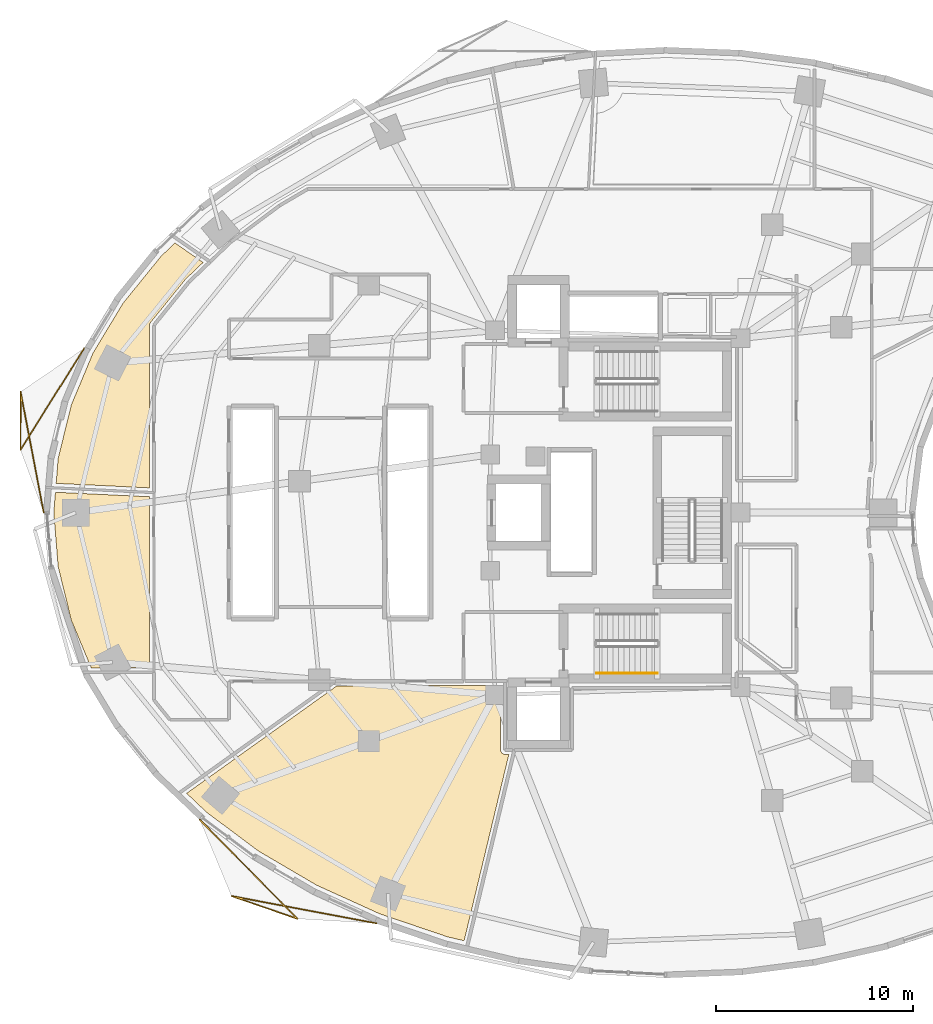
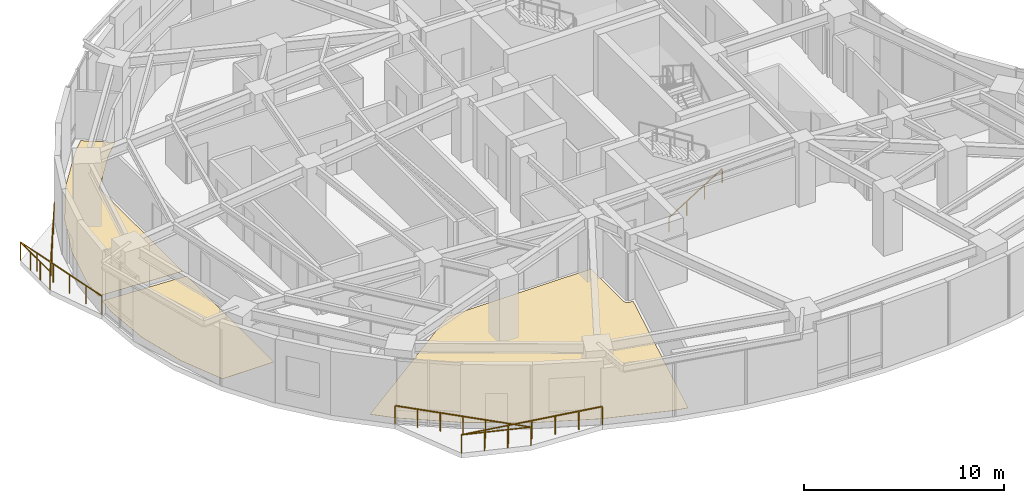
# One storey, part 13 of 15: 3 coverings, 3 railings.
"""IFC4 building model written with IfcOpenShell, lengths in metres."""

from ifc_helpers import new_model, si_unit, direction, frame, origin, origin_2d, place, context, subcontext, project, spatial, polyline, rectangle, outline, extrude, material, layer, layer_set, type_object, element, save


model = new_model("IFC4")

# Units and contexts
model_context = context("Model", 3, precision=1e-05, world=origin(), true_north=direction((0.0, 1.0)))
body_context = subcontext(model_context, "Body", "Model", "MODEL_VIEW")
ifc_project = project(units=[si_unit("LENGTHUNIT", "METRE"), si_unit("AREAUNIT", "SQUARE_METRE"), si_unit("VOLUMEUNIT", "CUBIC_METRE"), si_unit("PLANEANGLEUNIT", "RADIAN"), si_unit("MASSUNIT", "GRAM", prefix="KILO")], contexts=[model_context])

# Site, building, storey
site_placement = place(None, origin())
site = spatial("IfcSite", under=ifc_project, at=site_placement, CompositionType="ELEMENT")
building_placement = place(site_placement, origin())
building = spatial("IfcBuilding", under=site, at=building_placement, Name="Korentha Bioscience Tower", CompositionType="ELEMENT")
storey_placement = place(building_placement, frame((0.0, 0.0, 34.199951171875)))
storey = spatial("IfcBuildingStorey", under=building, at=storey_placement, Name="L07", CompositionType="ELEMENT", Elevation=34.199951171875)

# Railings
ifc_material_1 = material(Name="Stainless Steel 304", Category="steel")
railing_type_1 = type_object("IfcRailingType", Name="Brushed Stainless Stair Handrail 900", PredefinedType="HANDRAIL", material=ifc_material_1)
railing_1_placement = place(storey_placement, frame((30.25, 18.85009765625, 0.175048828125)))
element("IfcRailing", 1, at=railing_1_placement, inside=storey, type_object=railing_type_1, Name="L07 ST-2 stair handrail 1", PredefinedType="HANDRAIL", context=body_context, shape_type="SweptSolid", body=[
    extrude(rectangle(XDim=0.048095703125, YDim=0.048095703125, at=origin_2d()), frame((0.0, 0.0, 0.8759765625), z_axis=(0.847998304005, 0.0, 0.529998940003), x_axis=(0.0, 1.0, 0.0)), (0.0, 0.0, 1.0), 3.632080078125),
    extrude(rectangle(XDim=0.0419921875, YDim=0.0419921875, at=origin_2d()), origin(), (0.0, 0.0, 1.0), 0.851806640625),
    extrude(rectangle(XDim=0.0419921875, YDim=0.0419921875, at=origin_2d()), frame((1.026611328125, 0.0, 0.6416015625)), (0.0, 0.0, 1.0), 0.851806640625),
    extrude(rectangle(XDim=0.0419921875, YDim=0.0419921875, at=origin_2d()), frame((2.053466796875, 0.0, 1.283447265625)), (0.0, 0.0, 1.0), 0.851806640625),
    extrude(rectangle(XDim=0.0419921875, YDim=0.0419921875, at=origin_2d()), frame((3.080078125, 0.0, 1.925048828125)), (0.0, 0.0, 1.0), 0.851806640625),
])
ifc_material_2 = material(Name="Laminated Tempered Safety Glass", Category="glass")
railing_type_2 = type_object("IfcRailingType", Name="Laminated Glass Balcony Guardrail 1150", PredefinedType="BALUSTRADE", material=ifc_material_2)
railing_2_placement = place(storey_placement, frame((4.246337890625, 35.3291015625, 0.0)))
element("IfcRailing", 2, at=railing_2_placement, inside=storey, type_object=railing_type_2, Name="L07 Balcony Guardrail 02", PredefinedType="BALUSTRADE", context=body_context, shape_type="SweptSolid", body=[
    extrude(rectangle(XDim=0.048095703125, YDim=0.048095703125, at=origin_2d()), frame((0.0, 0.0, 1.1259765625), z_axis=(-0.530529545818, -0.847666444431, 0.0), x_axis=(0.847666444431, -0.530529545818, 0.0)), (0.0, 0.0, 1.0), 6.07861328125),
    extrude(rectangle(XDim=0.048095703125, YDim=0.048095703125, at=origin_2d()), frame((-3.224853515625, -5.152587890625, 1.1259765625), z_axis=(0.001898939773, 0.999998197012, 0.0), x_axis=(-0.999998197012, 0.001898939773, 0.0)), (0.0, 0.0, 1.0), 2.95703125),
    extrude(rectangle(XDim=0.048095703125, YDim=0.048095703125, at=origin_2d()), frame((-3.21923828125, -2.195556640625, 1.1259765625), z_axis=(0.18781629778, -0.982204173422, 0.0), x_axis=(0.982204173422, 0.18781629778, 0.0)), (0.0, 0.0, 1.0), 6.24462890625),
    extrude(rectangle(XDim=0.0419921875, YDim=0.0419921875, at=origin_2d()), origin(), (0.0, 0.0, 1.0), 1.101806640625),
    extrude(rectangle(XDim=0.0419921875, YDim=0.0419921875, at=origin_2d()), frame((-0.64501953125, -1.030517578125, 0.0)), (0.0, 0.0, 1.0), 1.101806640625),
    extrude(rectangle(XDim=0.0419921875, YDim=0.0419921875, at=origin_2d()), frame((-1.2900390625, -2.06103515625, 0.0)), (0.0, 0.0, 1.0), 1.101806640625),
    extrude(rectangle(XDim=0.0419921875, YDim=0.0419921875, at=origin_2d()), frame((-1.934814453125, -3.091552734375, 0.0)), (0.0, 0.0, 1.0), 1.101806640625),
    extrude(rectangle(XDim=0.0419921875, YDim=0.0419921875, at=origin_2d()), frame((-2.579833984375, -4.1220703125, 0.0)), (0.0, 0.0, 1.0), 1.101806640625),
    extrude(rectangle(XDim=0.0419921875, YDim=0.0419921875, at=origin_2d()), frame((-3.224853515625, -5.152587890625, 0.0)), (0.0, 0.0, 1.0), 1.101806640625),
    extrude(rectangle(XDim=0.0419921875, YDim=0.0419921875, at=origin_2d()), frame((-3.222900390625, -4.1669921875, 0.0)), (0.0, 0.0, 1.0), 1.101806640625),
    extrude(rectangle(XDim=0.0419921875, YDim=0.0419921875, at=origin_2d()), frame((-3.22119140625, -3.18115234375, 0.0)), (0.0, 0.0, 1.0), 1.101806640625),
    extrude(rectangle(XDim=0.0419921875, YDim=0.0419921875, at=origin_2d()), frame((-3.21923828125, -2.195556640625, 0.0)), (0.0, 0.0, 1.0), 1.101806640625),
    extrude(rectangle(XDim=0.0419921875, YDim=0.0419921875, at=origin_2d()), frame((-2.984619140625, -3.42236328125, 0.0)), (0.0, 0.0, 1.0), 1.101806640625),
    extrude(rectangle(XDim=0.0419921875, YDim=0.0419921875, at=origin_2d()), frame((-2.75, -4.64892578125, 0.0)), (0.0, 0.0, 1.0), 1.101806640625),
    extrude(rectangle(XDim=0.0419921875, YDim=0.0419921875, at=origin_2d()), frame((-2.515625, -5.875732421875, 0.0)), (0.0, 0.0, 1.0), 1.101806640625),
    extrude(rectangle(XDim=0.0419921875, YDim=0.0419921875, at=origin_2d()), frame((-2.281005859375, -7.102294921875, 0.0)), (0.0, 0.0, 1.0), 1.101806640625),
    extrude(rectangle(XDim=0.0419921875, YDim=0.0419921875, at=origin_2d()), frame((-2.04638671875, -8.3291015625, 0.0)), (0.0, 0.0, 1.0), 1.101806640625),
])
railing_3_placement = place(storey_placement, frame((10.1220703125, 11.41357421875, 0.0)))
element("IfcRailing", 3, at=railing_3_placement, inside=storey, type_object=railing_type_2, Name="L07 Balcony Guardrail 03", PredefinedType="BALUSTRADE", context=body_context, shape_type="SweptSolid", body=[
    extrude(rectangle(XDim=0.048095703125, YDim=0.048095703125, at=origin_2d()), frame((0.0, 0.0, 1.1259765625), z_axis=(0.702297818863, -0.711883258421, 0.0), x_axis=(0.711883258421, 0.702297818863, 0.0)), (0.0, 0.0, 1.0), 7.05517578125),
    extrude(rectangle(XDim=0.048095703125, YDim=0.048095703125, at=origin_2d()), frame((4.954833984375, -5.0224609375, 1.1259765625), z_axis=(-0.945411031533, 0.325880317687, 0.0), x_axis=(-0.325880317687, -0.945411031533, 0.0)), (0.0, 0.0, 1.0), 3.545166015625),
    extrude(rectangle(XDim=0.048095703125, YDim=0.048095703125, at=origin_2d()), frame((1.603271484375, -3.8671875, 1.1259765625), z_axis=(0.982707994599, -0.185162084002, 0.0), x_axis=(0.185162084002, 0.982707994599, 0.0)), (0.0, 0.0, 1.0), 7.474609375),
    extrude(rectangle(XDim=0.0419921875, YDim=0.0419921875, at=origin_2d()), origin(), (0.0, 0.0, 1.0), 1.101806640625),
    extrude(rectangle(XDim=0.0419921875, YDim=0.0419921875, at=origin_2d()), frame((0.82568359375, -0.837158203125, 0.0)), (0.0, 0.0, 1.0), 1.101806640625),
    extrude(rectangle(XDim=0.0419921875, YDim=0.0419921875, at=origin_2d()), frame((1.651611328125, -1.674072265625, 0.0)), (0.0, 0.0, 1.0), 1.101806640625),
    extrude(rectangle(XDim=0.0419921875, YDim=0.0419921875, at=origin_2d()), frame((2.4775390625, -2.51123046875, 0.0)), (0.0, 0.0, 1.0), 1.101806640625),
    extrude(rectangle(XDim=0.0419921875, YDim=0.0419921875, at=origin_2d()), frame((3.30322265625, -3.348388671875, 0.0)), (0.0, 0.0, 1.0), 1.101806640625),
    extrude(rectangle(XDim=0.0419921875, YDim=0.0419921875, at=origin_2d()), frame((4.12890625, -4.185302734375, 0.0)), (0.0, 0.0, 1.0), 1.101806640625),
    extrude(rectangle(XDim=0.0419921875, YDim=0.0419921875, at=origin_2d()), frame((4.954833984375, -5.0224609375, 0.0)), (0.0, 0.0, 1.0), 1.101806640625),
    extrude(rectangle(XDim=0.0419921875, YDim=0.0419921875, at=origin_2d()), frame((3.837646484375, -4.637451171875, 0.0)), (0.0, 0.0, 1.0), 1.101806640625),
    extrude(rectangle(XDim=0.0419921875, YDim=0.0419921875, at=origin_2d()), frame((2.720458984375, -4.252197265625, 0.0)), (0.0, 0.0, 1.0), 1.101806640625),
    extrude(rectangle(XDim=0.0419921875, YDim=0.0419921875, at=origin_2d()), frame((1.603271484375, -3.8671875, 0.0)), (0.0, 0.0, 1.0), 1.101806640625),
    extrude(rectangle(XDim=0.0419921875, YDim=0.0419921875, at=origin_2d()), frame((2.82763671875, -4.097900390625, 0.0)), (0.0, 0.0, 1.0), 1.101806640625),
    extrude(rectangle(XDim=0.0419921875, YDim=0.0419921875, at=origin_2d()), frame((4.0517578125, -4.32861328125, 0.0)), (0.0, 0.0, 1.0), 1.101806640625),
    extrude(rectangle(XDim=0.0419921875, YDim=0.0419921875, at=origin_2d()), frame((5.27587890625, -4.55908203125, 0.0)), (0.0, 0.0, 1.0), 1.101806640625),
    extrude(rectangle(XDim=0.0419921875, YDim=0.0419921875, at=origin_2d()), frame((6.500244140625, -4.789794921875, 0.0)), (0.0, 0.0, 1.0), 1.101806640625),
    extrude(rectangle(XDim=0.0419921875, YDim=0.0419921875, at=origin_2d()), frame((7.724609375, -5.0205078125, 0.0)), (0.0, 0.0, 1.0), 1.101806640625),
    extrude(rectangle(XDim=0.0419921875, YDim=0.0419921875, at=origin_2d()), frame((8.94873046875, -5.251220703125, 0.0)), (0.0, 0.0, 1.0), 1.101806640625),
])

# Coverings
ifc_material_3 = material(Name="Chemical-Resistant Epoxy Resin", Category="polymer")
ifc_layer = layer(ifc_material_3, 0.011962890625, Name="Chemical-Resistant Epoxy Resin")
ifc_layer_set = layer_set([ifc_layer], Name="Chemical-Resistant Epoxy Resin (FL-EPX)")
covering_type = type_object("IfcCoveringType", Name="Seamless Epoxy Laboratory Flooring 12", PredefinedType="FLOORING", material=ifc_layer_set)
covering_1_placement = place(storey_placement, origin())
element("IfcCovering", 4, at=covering_1_placement, inside=storey, type_object=covering_type, Name="L07 Research Colloquium Seminar Room 02 Floor Finish", PredefinedType="FLOORING", context=body_context, shape_type="SweptSolid", body=[
    extrude(outline(polyline([(2.711669921875, 27.0), (2.79541015625, 28.031982421875), (7.570068359375, 27.80322265625), (7.570068359375, 19.1220703125), (4.610595703125, 19.1220703125), (3.600830078125, 21.53955078125), (2.9345703125, 24.251220703125), (2.711669921875, 27.0)])), origin(), (0.0, 0.0, 1.0), 0.011962890625),
])
covering_2_placement = place(storey_placement, origin())
element("IfcCovering", 5, at=covering_2_placement, inside=storey, type_object=covering_type, Name="L07 Biospecimen Archive Store 04 Floor Finish", PredefinedType="FLOORING", context=body_context, shape_type="SweptSolid", body=[
    extrude(outline(polyline([(16.0458984375, 8.09521484375), (13.09619140625, 9.826171875), (10.451904296875, 11.8037109375), (9.451416015625, 12.7578125), (17.07763671875, 18.2119140625), (25.3798828125, 18.219970703125), (25.38232421875, 14.92138671875), (25.424072265625, 14.82080078125), (25.50830078125, 14.75146484375), (25.5927734375, 14.730224609375), (25.79931640625, 14.72998046875), (23.52978515625, 5.275634765625), (22.687255859375, 5.474609375), (19.258544921875, 6.63720703125), (16.0458984375, 8.09521484375)])), origin(), (0.0, 0.0, 1.0), 0.011962890625),
])
covering_3_placement = place(storey_placement, origin())
element("IfcCovering", 6, at=covering_3_placement, inside=storey, type_object=covering_type, Name="L07 Instrument Calibration Workshop 16 Floor Finish", PredefinedType="FLOORING", context=body_context, shape_type="SweptSolid", body=[
    extrude(outline(polyline([(3.600830078125, 32.46044921875), (4.702392578125, 35.097900390625), (6.225830078125, 37.623779296875), (8.15087890625, 40.001953125), (8.86083984375, 40.678955078125), (10.28662109375, 39.689453125), (9.4033203125, 38.84619140625), (7.62109375, 36.64599609375), (7.57666015625, 36.55615234375), (7.570068359375, 28.253662109375), (2.831787109375, 28.480712890625), (2.9345703125, 29.748779296875), (3.600830078125, 32.46044921875)])), origin(), (0.0, 0.0, 1.0), 0.011962890625),
])

save(model, "model.ifc")
